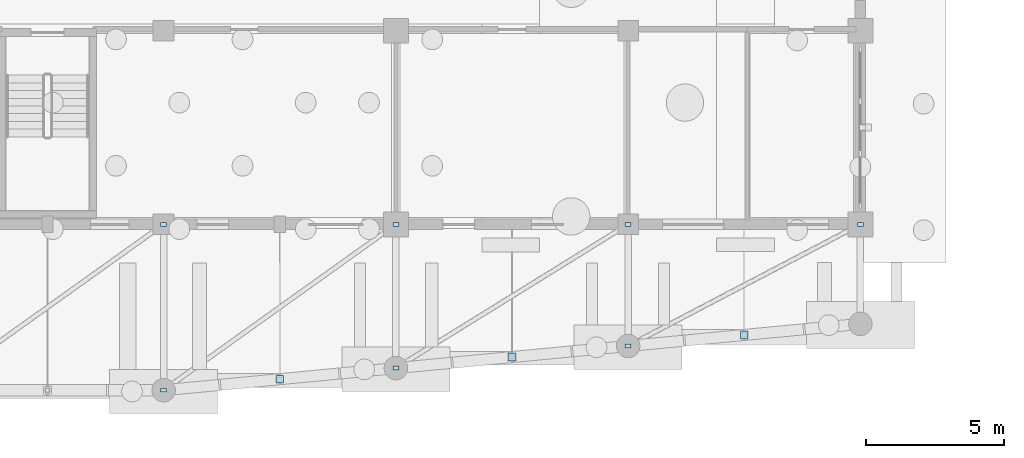
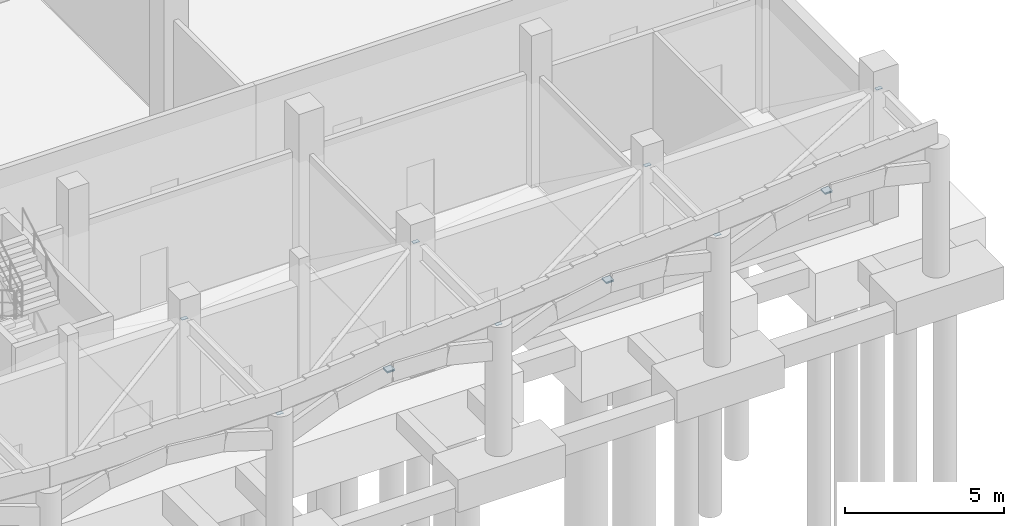
# One storey, part 32 of 60: 13 plates.
"""IFC4 building model written with IfcOpenShell, lengths in metres."""

from ifc_helpers import new_model, si_unit, direction, frame, origin, origin_2d, place, context, subcontext, project, spatial, rectangle, extrude, material, layer, layer_set, type_object, element, save


model = new_model("IFC4")

# Units and contexts
model_context = context("Model", 3, precision=1e-05, world=origin(), true_north=direction((0.0, 1.0)))
body_context = subcontext(model_context, "Body", "Model", "MODEL_VIEW")
ifc_project = project(units=[si_unit("LENGTHUNIT", "METRE"), si_unit("AREAUNIT", "SQUARE_METRE"), si_unit("VOLUMEUNIT", "CUBIC_METRE"), si_unit("PLANEANGLEUNIT", "RADIAN"), si_unit("MASSUNIT", "GRAM", prefix="KILO")], contexts=[model_context])

# Site, building, storey
site_placement = place(None, origin())
site = spatial("IfcSite", under=ifc_project, at=site_placement, CompositionType="ELEMENT")
building_placement = place(site_placement, origin())
building = spatial("IfcBuilding", under=site, at=building_placement, Name="Trellovar Central Fire Station", CompositionType="ELEMENT")
storey_placement = place(building_placement, origin())
storey = spatial("IfcBuildingStorey", under=building, at=storey_placement, Name="L01", CompositionType="ELEMENT", Elevation=0.0)

# Plates
ifc_material_1 = material(Name="Steel ASTM A36", Category="steel")
ifc_layer_1 = layer(ifc_material_1, 0.02001953125)
ifc_layer_set_1 = layer_set([ifc_layer_1], Name="Steel ASTM A36")
plate_type_1 = type_object("IfcPlateType", Name="PLT-EP2", PredefinedType="SHEET", material=ifc_layer_set_1)
for number, where, z_axis, x_axis, name in (
    (1, (134.89990234375, 3.39990234375, 4.7900390625), (0.0, 0.0, 1.0), (1.0, 0.0, 0.0), "HSS end-cap plate 561"),
    (2, (134.89990234375, 3.39990234375, 4.739990234375), (0.0, 0.0, 1.0), (1.0, 0.0, 0.0), "HSS end-cap plate 562"),
    (3, (143.300048828125, 4.199951171875, 4.7900390625), (0.0, 0.0, 1.0), (1.0, 0.0, 0.0), "HSS end-cap plate 565"),
    (4, (143.300048828125, 4.199951171875, 4.739990234375), (0.0, 0.0, 1.0), (1.0, 0.0, 0.0), "HSS end-cap plate 566"),
    (5, (151.699951171875, 5.0, 4.7900390625), (0.0, 0.0, 1.0), (1.0, 0.0, 0.0), "HSS end-cap plate 569"),
    (6, (151.699951171875, 5.0, 4.739990234375), (0.0, 0.0, 1.0), (1.0, 0.0, 0.0), "HSS end-cap plate 570"),
):
    element("IfcPlate", number, at=place(storey_placement, frame(where, z_axis=z_axis, x_axis=x_axis)), inside=storey, type_object=plate_type_1, Name=name, PredefinedType="SHEET", context=body_context, shape_type="SweptSolid", body=[
        extrude(rectangle(XDim=0.280029296875, YDim=0.280029296875, at=origin_2d()), origin(), (0.0, 0.0, 1.0), 0.02001953125),
    ])
ifc_material_2 = material(Name="Steel ASTM A36", Category="steel")
ifc_layer_2 = layer(ifc_material_2, 0.01611328125)
ifc_layer_set_2 = layer_set([ifc_layer_2], Name="Steel ASTM A36")
plate_type_2 = type_object("IfcPlateType", Name="PLT-EP4", PredefinedType="SHEET", material=ifc_layer_set_2)
for number, where, z_axis, x_axis, name in (
    (7, (130.699951171875, 9.0, 4.7919921875), (0.0, 0.0, 1.0), (1.0, 0.0, 0.0), "HSS end-cap plate 560"),
    (8, (130.699951171875, 3.0, 4.7919921875), (0.0, 0.0, 1.0), (1.0, 0.0, 0.0), "HSS end-cap plate 563"),
    (9, (139.10009765625, 9.0, 4.7919921875), (0.0, 0.0, 1.0), (1.0, 0.0, 0.0), "HSS end-cap plate 564"),
    (10, (139.10009765625, 3.800048828125, 4.7919921875), (0.0, 0.0, 1.0), (1.0, 0.0, 0.0), "HSS end-cap plate 567"),
    (11, (147.5, 9.0, 4.7919921875), (0.0, 0.0, 1.0), (1.0, 0.0, 0.0), "HSS end-cap plate 568"),
    (12, (147.5, 4.60009765625, 4.7919921875), (0.0, 0.0, 1.0), (1.0, 0.0, 0.0), "HSS end-cap plate 571"),
    (13, (155.89990234375, 9.0, 4.7919921875), (0.0, 0.0, 1.0), (1.0, 0.0, 0.0), "HSS end-cap plate 572"),
):
    element("IfcPlate", number, at=place(storey_placement, frame(where, z_axis=z_axis, x_axis=x_axis)), inside=storey, type_object=plate_type_2, Name=name, PredefinedType="SHEET", context=body_context, shape_type="SweptSolid", body=[
        extrude(rectangle(XDim=0.219970703125, YDim=0.139892578125, at=origin_2d()), origin(), (0.0, 0.0, 1.0), 0.01611328125),
    ])

save(model, "model.ifc")
